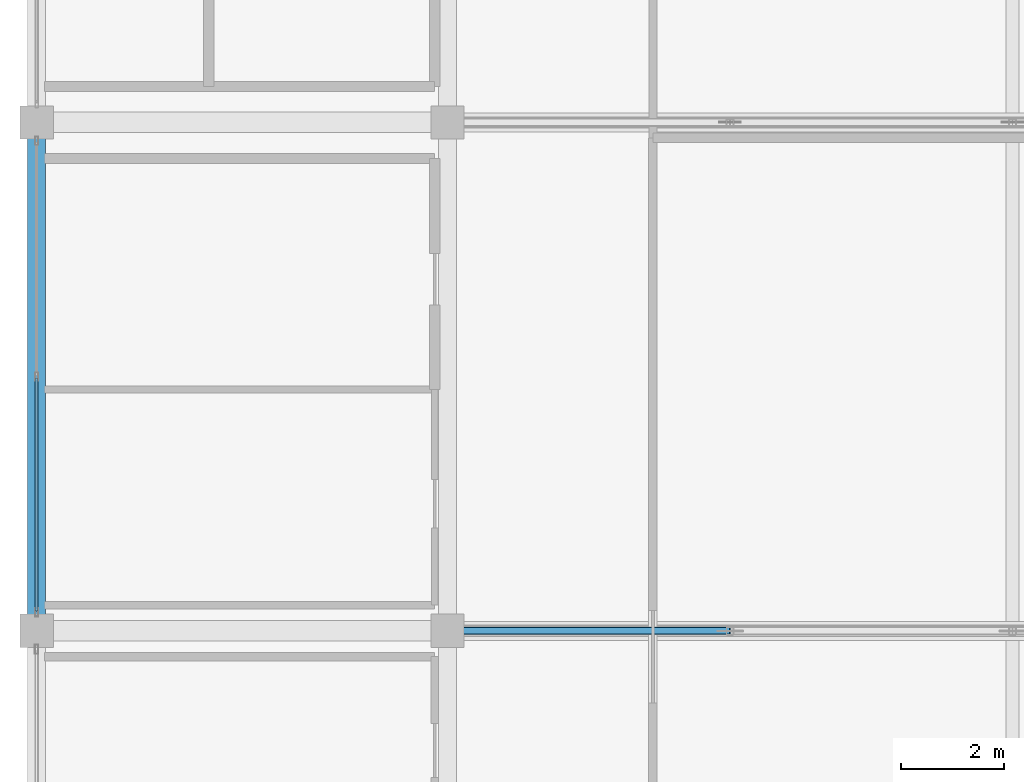
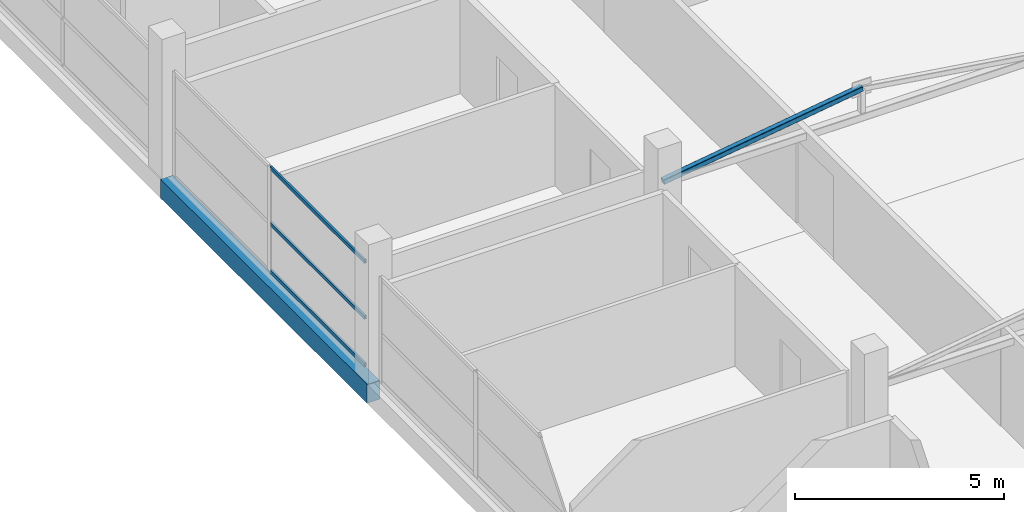
# One storey, part 19 of 53: 4 members, 1 beam, 1 element without a shape of its own.
"""IFC4 building model written with IfcOpenShell, lengths in metres."""

from ifc_helpers import new_model, si_unit, direction, frame, origin, origin_2d, place, context, subcontext, project, spatial, rectangle, hollow_rectangle, extrude, material, layer, layer_set, material_profile, profile_set, type_object, element, aggregate, save


model = new_model("IFC4")

# Units and contexts
model_context = context("Model", 3, precision=1e-05, world=origin(), true_north=direction((0.0, 1.0)))
body_context = subcontext(model_context, "Body", "Model", "MODEL_VIEW")
ifc_project = project(units=[si_unit("LENGTHUNIT", "METRE"), si_unit("AREAUNIT", "SQUARE_METRE"), si_unit("VOLUMEUNIT", "CUBIC_METRE"), si_unit("PLANEANGLEUNIT", "RADIAN"), si_unit("MASSUNIT", "GRAM", prefix="KILO")], contexts=[model_context])

# Site, building, storey
site_placement = place(None, origin())
site = spatial("IfcSite", under=ifc_project, at=site_placement, CompositionType="ELEMENT")
building_placement = place(site_placement, origin())
building = spatial("IfcBuilding", under=site, at=building_placement, Name="Sillaruma Civic Art Gallery", CompositionType="ELEMENT")
storey_placement = place(building_placement, frame((0.0, 0.0, 70.3798828125)))
storey = spatial("IfcBuildingStorey", under=building, at=storey_placement, Name="L14", CompositionType="ELEMENT", Elevation=70.3798828125)

# Beam
ifc_material_1 = material(Name="Concrete H35 (35 MPa)", Category="concrete")
ifc_material_profile_1 = material_profile(ifc_material_1, rectangle(XDim=0.35009765625, YDim=0.550048828125, at=origin_2d()), Name="RCB350x550")
ifc_profile_set_1 = profile_set([ifc_material_profile_1], Name="Concrete H35 (35 MPa)")
beam_type = type_object("IfcBeamType", Name="BM-SPANDREL-RCB350x550", PredefinedType="SPANDREL", material=ifc_profile_set_1)
beam_placement = place(storey_placement, frame((62.0, 59.39990234375, -0.52490234375), z_axis=(0.0, 1.0, 0.0), x_axis=(-1.0, 0.0, 0.0)))
element("IfcBeam", 1, at=beam_placement, inside=storey, type_object=beam_type, Name="Beam BS-04 (L13:F:7-8)", PredefinedType="SPANDREL", context=body_context, shape_type="SweptSolid", body=[
    extrude(rectangle(XDim=0.35009765625, YDim=0.550048828125, at=origin_2d()), origin(), (0.0, 0.0, 1.0), 9.900146484375),
])

# Member
ifc_material_2 = material(Name="Structural Steel ASTM A500 Gr.C", Category="steel")
ifc_material_profile_2 = material_profile(ifc_material_2, hollow_rectangle(XDim=0.14990234375, YDim=0.14990234375, WallThickness=0.010009765625, InnerFilletRadius=0.010009765625, OuterFilletRadius=0.02001953125, at=origin_2d()), Name="HSS150x150x10")
ifc_profile_set_2 = profile_set([ifc_material_profile_2], Name="Structural Steel ASTM A500 Gr.C")
member_type_1 = type_object("IfcMemberType", Name="MEM-BRACE-HSS150x150x10", PredefinedType="BRACE", material=ifc_profile_set_2)
member_1_placement = place(storey_placement, frame((70.0, 59.39990234375, 2.840087890625), z_axis=(0.989377720719, 0.0, 0.145367553959), x_axis=(0.0, 1.0, 0.0)))
element("IfcMember", 2, at=member_1_placement, inside=storey, type_object=member_type_1, Name="Warren Truss Diagonal TR-L14-2-D1", PredefinedType="BRACE", context=body_context, shape_type="SweptSolid", body=[
    extrude(hollow_rectangle(XDim=0.14990234375, YDim=0.14990234375, WallThickness=0.010009765625, InnerFilletRadius=0.010009765625, OuterFilletRadius=0.02001953125, at=origin_2d()), origin(), (0.0, 0.0, 1.0), 5.55908203125),
])

# Curtain wall, members
ifc_material_3 = material(Name="Thermally Broken Extruded Aluminium 6063-T6", Category="aluminium")
ifc_layer = layer(ifc_material_3, 0.159912109375, Name="Thermally Broken Extruded Aluminium 6063-T6")
ifc_layer_set = layer_set([ifc_layer], Name="Thermally Broken Extruded Aluminium 6063-T6")
curtain_wall_type = type_object("IfcCurtainWallType", Name="CW-UNI-94", PredefinedType="NOTDEFINED", material=ifc_layer_set)
curtain_wall_placement = place(storey_placement, origin())
curtain_wall = element("IfcCurtainWall", 3, at=curtain_wall_placement, inside=storey, type_object=curtain_wall_type, Name="Unitised Curtain Wall CW-94 (CW-L14-WBW-5)", PredefinedType="NOTDEFINED")
ifc_material_profile_3 = material_profile(ifc_material_3, hollow_rectangle(XDim=0.06005859375, YDim=0.10009765625, WallThickness=0.003173828125, at=origin_2d()), Name="CWT60x100")
ifc_profile_set_3 = profile_set([ifc_material_profile_3], Name="Thermally Broken Extruded Aluminium 6063-T6")
member_type_2 = type_object("IfcMemberType", Name="MEM-TRN-CWT60x100", PredefinedType="USERDEFINED", material=ifc_profile_set_3)
member_2_placement = place(storey_placement, frame((62.0, 59.7900390625, 0.030029296875), z_axis=(0.0, 1.0, 0.0), x_axis=(-1.0, 0.0, 0.0)))
member_2 = element("IfcMember", 4, at=member_2_placement, type_object=member_type_2, Name="CW-94 transom 1.1", ObjectType="TRANSOM", PredefinedType="USERDEFINED", context=body_context, shape_type="SweptSolid", body=[
    extrude(hollow_rectangle(XDim=0.06005859375, YDim=0.10009765625, WallThickness=0.003173828125, at=origin_2d()), origin(), (0.0, 0.0, 1.0), 4.52734375),
])
member_3_placement = place(storey_placement, frame((62.0, 59.7900390625, 1.4169921875), z_axis=(0.0, 1.0, 0.0), x_axis=(-1.0, 0.0, 0.0)))
member_3 = element("IfcMember", 5, at=member_3_placement, type_object=member_type_2, Name="CW-94 transom 1.2", ObjectType="TRANSOM", PredefinedType="USERDEFINED", context=body_context, shape_type="SweptSolid", body=[
    extrude(hollow_rectangle(XDim=0.06005859375, YDim=0.10009765625, WallThickness=0.003173828125, at=origin_2d()), origin(), (0.0, 0.0, 1.0), 4.52734375),
])
member_4_placement = place(storey_placement, frame((62.0, 59.7900390625, 3.050048828125), z_axis=(0.0, 1.0, 0.0), x_axis=(-1.0, 0.0, 0.0)))
member_4 = element("IfcMember", 6, at=member_4_placement, type_object=member_type_2, Name="CW-94 transom 1.3", ObjectType="TRANSOM", PredefinedType="USERDEFINED", context=body_context, shape_type="SweptSolid", body=[
    extrude(hollow_rectangle(XDim=0.06005859375, YDim=0.10009765625, WallThickness=0.003173828125, at=origin_2d()), origin(), (0.0, 0.0, 1.0), 4.52734375),
])
aggregate(curtain_wall, [member_2, member_3, member_4])

save(model, "model.ifc")
